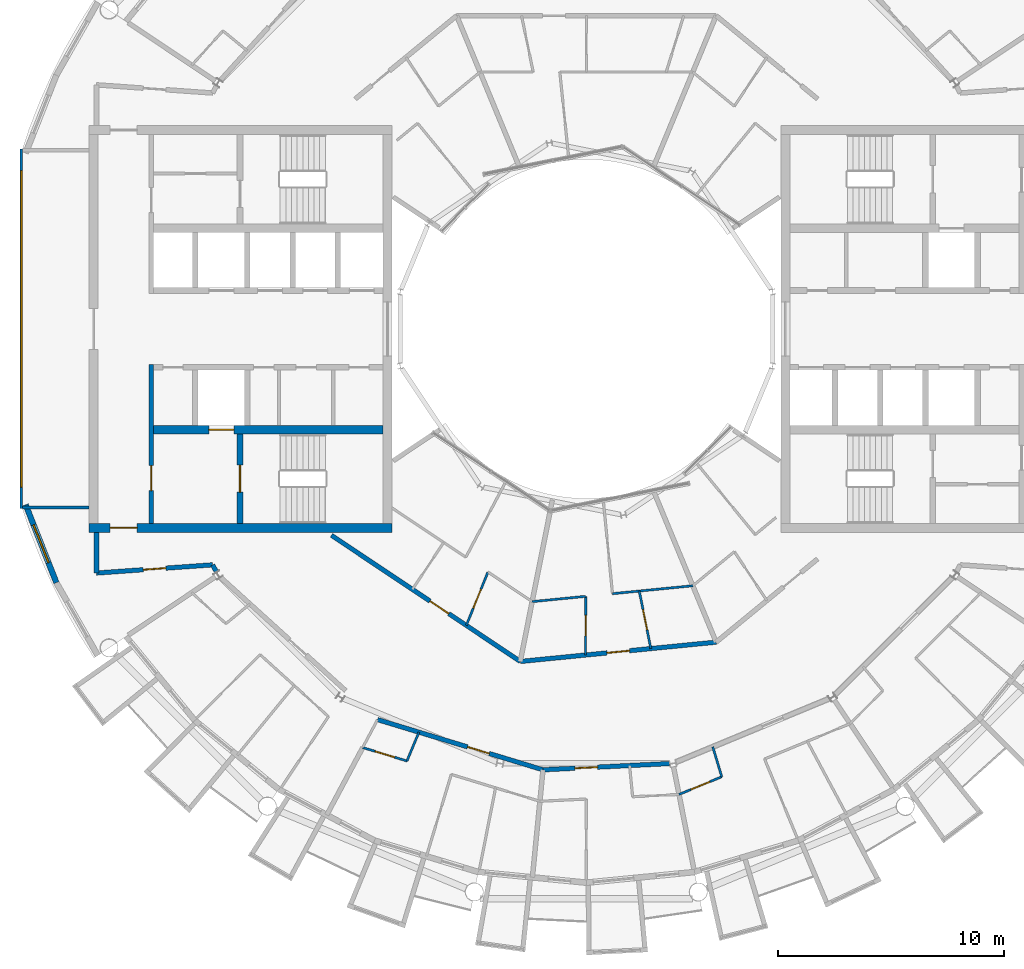
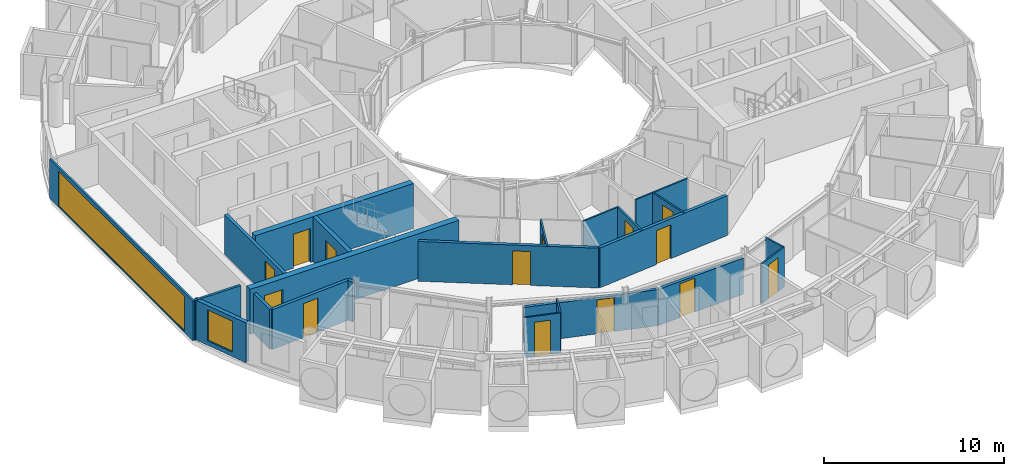
# One storey, part 15 of 27: 23 walls, 14 doors, 2 windows, 16 openings.
"""IFC4 building model written with IfcOpenShell, lengths in metres."""

from ifc_helpers import new_model, si_unit, direction, frame, frame_2d, origin, place, context, subcontext, project, spatial, rectangle, extrude, material, layer, layer_set, type_object, element, fill, save


model = new_model("IFC4")

# Units and contexts
model_context = context("Model", 3, precision=1e-05, world=origin(), true_north=direction((0.0, 1.0)))
body_context = subcontext(model_context, "Body", "Model", "MODEL_VIEW")
ifc_project = project(units=[si_unit("LENGTHUNIT", "METRE"), si_unit("AREAUNIT", "SQUARE_METRE"), si_unit("VOLUMEUNIT", "CUBIC_METRE"), si_unit("PLANEANGLEUNIT", "RADIAN"), si_unit("MASSUNIT", "GRAM", prefix="KILO")], contexts=[model_context])

# Site, building, storey
site_placement = place(None, origin())
site = spatial("IfcSite", under=ifc_project, at=site_placement, CompositionType="ELEMENT")
building_placement = place(site_placement, origin())
building = spatial("IfcBuilding", under=site, at=building_placement, Name="Maasbend Ring Residences", CompositionType="ELEMENT")
storey_placement = place(building_placement, frame((0.0, 0.0, 240.14990234375)))
storey = spatial("IfcBuildingStorey", under=building, at=storey_placement, Name="L69", CompositionType="ELEMENT", Elevation=240.14990234375)

# Wall, opening, door
ifc_material_1 = material(Name="Concrete C50/60", Category="concrete")
ifc_layer_1 = layer(ifc_material_1, 0.25)
ifc_layer_set_1 = layer_set([ifc_layer_1], Name="Concrete C50/60")
wall_type_1 = type_object("IfcWallType", Name="CORE WALL 250 C50/60", PredefinedType="SHEAR", material=ifc_layer_set_1)
wall_1_placement = place(storey_placement, frame((-15.324951171875, -4.64990234375, 0.0), z_axis=(0.0, 0.0, 1.0), x_axis=(0.0, -1.0, 0.0)))
wall_1 = element("IfcWall", 1, at=wall_1_placement, inside=storey, type_object=wall_type_1, Name="L69 core W wall STEN", PredefinedType="SHEAR", context=body_context, shape_type="SweptSolid", body=[
    extrude(rectangle(XDim=3.9501953125, YDim=0.25, at=frame_2d((1.97509765625, 0.0))), origin(), (0.0, 0.0, 1.0), 3.050048828125),
])
opening_1_placement = place(wall_1_placement, frame((1.375, 0.0, 0.0)))
opening_1 = element("IfcOpeningElement", 2, at=opening_1_placement, cuts=wall_1, Name="Opening D-W6911", PredefinedType="OPENING", context=body_context, shape_type="SweptSolid", body=[
    extrude(rectangle(XDim=1.199951171875, YDim=2.300048828125, at=frame_2d((0.60009765625, 1.14990234375))), frame((0.0, 0.135009765625, 0.0), z_axis=(0.0, -1.0, 0.0), x_axis=(1.0, 0.0, 0.0)), (0.0, 0.0, 1.0), 0.27001953125),
])
ifc_material_2 = material(Name="Steel, powder coated", Category="steel")
door_type_1 = type_object("IfcDoorType", Name="STAIR DOOR 1200 X 2300 FD60", OperationType="NOTDEFINED", PredefinedType="DOOR", material=ifc_material_2)
door_1_placement = place(opening_1_placement, origin())
door_1 = element("IfcDoor", 3, at=door_1_placement, inside=storey, type_object=door_type_1, Name="Stair door ST-W L69", OperationType="SINGLE_SWING_LEFT", OverallHeight=2.300048828125, OverallWidth=1.199951171875, PredefinedType="DOOR", context=body_context, shape_type="SweptSolid", body=[
    extrude(rectangle(XDim=1.199951171875, YDim=2.300048828125, at=frame_2d((0.60009765625, 1.14990234375))), frame((0.0, 0.02490234375, 0.0), z_axis=(0.0, -1.0, 0.0), x_axis=(1.0, 0.0, 0.0)), (0.0, 0.0, 1.0), 0.050048828125),
])
fill(opening_1, door_1)

ifc_material_3 = material(Name="Concrete C50/60", Category="concrete")
ifc_layer_2 = layer(ifc_material_3, 0.375)
ifc_layer_set_2 = layer_set([ifc_layer_2], Name="Concrete C50/60")
wall_type_2 = type_object("IfcWallType", Name="CORE WALL 375 C50/60", PredefinedType="SHEAR", material=ifc_layer_set_2)
wall_2_placement = place(storey_placement, frame((-9.0, -4.46240234375, 0.0), z_axis=(0.0, 0.0, 1.0), x_axis=(-1.0, 0.0, 0.0)))
wall_2 = element("IfcWall", 4, at=wall_2_placement, inside=storey, type_object=wall_type_2, Name="L69 core W wall BN", PredefinedType="SHEAR", context=body_context, shape_type="SweptSolid", body=[
    extrude(rectangle(XDim=10.14990234375, YDim=0.375, at=frame_2d((5.074951171875, 0.0))), origin(), (0.0, 0.0, 1.0), 3.050048828125),
])
opening_2_placement = place(wall_2_placement, frame((6.60009765625, 0.0, 0.0)))
opening_2 = element("IfcOpeningElement", 5, at=opening_2_placement, cuts=wall_2, Name="Opening LD-W6901", PredefinedType="OPENING", context=body_context, shape_type="SweptSolid", body=[
    extrude(rectangle(XDim=1.10009765625, YDim=2.300048828125, at=frame_2d((0.550048828125, 1.14990234375))), frame((0.0, 0.197509765625, 0.0), z_axis=(0.0, -1.0, 0.0), x_axis=(1.0, 0.0, 0.0)), (0.0, 0.0, 1.0), 0.39501953125),
])
ifc_material_4 = material(Name="Stainless steel 316", Category="steel")
door_type_2 = type_object("IfcDoorType", Name="LANDING DOOR 1100 X 2300 FD60", OperationType="DOUBLE_DOOR_SLIDING", PredefinedType="DOOR", material=ifc_material_4)
door_2_placement = place(opening_2_placement, origin())
door_2 = element("IfcDoor", 6, at=door_2_placement, inside=storey, type_object=door_type_2, Name="Landing door FF-W L69", OperationType="DOUBLE_DOOR_SLIDING", OverallHeight=2.300048828125, OverallWidth=1.10009765625, PredefinedType="DOOR", context=body_context, shape_type="SweptSolid", body=[
    extrude(rectangle(XDim=1.10009765625, YDim=2.300048828125, at=frame_2d((0.550048828125, 1.14990234375))), frame((0.0, 0.02490234375, 0.0), z_axis=(0.0, -1.0, 0.0), x_axis=(1.0, 0.0, 0.0)), (0.0, 0.0, 1.0), 0.050048828125),
])
fill(opening_2, door_2)

ifc_material_5 = material(Name="Concrete C50/60", Category="concrete")
ifc_layer_3 = layer(ifc_material_5, 0.39990234375)
ifc_layer_set_3 = layer_set([ifc_layer_3], Name="Concrete C50/60")
wall_type_3 = type_object("IfcWallType", Name="CORE WALL 400 C50/60", PredefinedType="SHEAR", material=ifc_layer_set_3)
wall_3_placement = place(storey_placement, frame((-22.0, -8.800048828125, 0.0), z_axis=(0.0, 0.0, 1.0), x_axis=(1.0, 0.0, 0.0)))
wall_3 = element("IfcWall", 7, at=wall_3_placement, inside=storey, type_object=wall_type_3, Name="L69 core W wall PN", PredefinedType="SHEAR", context=body_context, shape_type="SweptSolid", body=[
    extrude(rectangle(XDim=13.39990234375, YDim=0.39990234375, at=frame_2d((6.699951171875, 0.0))), origin(), (0.0, 0.0, 1.0), 3.050048828125),
])
opening_3_placement = place(wall_3_placement, frame((0.925048828125, 0.0, 0.0)))
opening_3 = element("IfcOpeningElement", 8, at=opening_3_placement, cuts=wall_3, Name="Opening D-W6915", PredefinedType="OPENING", context=body_context, shape_type="SweptSolid", body=[
    extrude(rectangle(XDim=1.199951171875, YDim=2.300048828125, at=frame_2d((0.60009765625, 1.14990234375))), frame((0.0, 0.2099609375, 0.0), z_axis=(0.0, -1.0, 0.0), x_axis=(1.0, 0.0, 0.0)), (0.0, 0.0, 1.0), 0.419921875),
])
ifc_material_6 = material(Name="Steel, powder coated", Category="steel")
door_type_3 = type_object("IfcDoorType", Name="CORRIDOR DOOR 1200 X 2300 FD30S", OperationType="NOTDEFINED", PredefinedType="DOOR", material=ifc_material_6)
door_3_placement = place(opening_3_placement, origin())
door_3 = element("IfcDoor", 9, at=door_3_placement, inside=storey, type_object=door_type_3, Name="Corridor door L69", OperationType="SINGLE_SWING_RIGHT", OverallHeight=2.300048828125, OverallWidth=1.199951171875, PredefinedType="DOOR", context=body_context, shape_type="SweptSolid", body=[
    extrude(rectangle(XDim=1.199951171875, YDim=2.300048828125, at=frame_2d((0.60009765625, 1.14990234375))), frame((0.0, 0.02490234375, 0.0), z_axis=(0.0, -1.0, 0.0), x_axis=(1.0, 0.0, 0.0)), (0.0, 0.0, 1.0), 0.050048828125),
])
fill(opening_3, door_3)

# Wall
ifc_material_7 = material(Name="Concrete C30/37", Category="concrete")
ifc_layer_4 = layer(ifc_material_7, 0.199951171875)
ifc_layer_set_4 = layer_set([ifc_layer_4], Name="Concrete C30/37")
wall_type_4 = type_object("IfcWallType", Name="CORRIDOR WALL 200 CONCRETE", PredefinedType="PARTITIONING", material=ifc_layer_set_4)
wall_4_placement = place(storey_placement, frame((-16.534912109375, -10.43701171875, 0.0), z_axis=(0.0, 0.0, 1.0), x_axis=(0.465802239822, -0.884888848035, 0.0)))
element("IfcWall", 10, at=wall_4_placement, inside=storey, type_object=wall_type_4, Name="U-L69-w013", PredefinedType="PARTITIONING", context=body_context, shape_type="SweptSolid", body=[
    extrude(rectangle(XDim=0.360595703125, YDim=0.199951171875, at=frame_2d((0.18017578125, 0.0))), origin(), (0.0, 0.0, 1.0), 2.7001953125),
])

# Wall, opening, door
wall_5_placement = place(storey_placement, frame((-1.9208984375, -19.506103515625, 0.0), z_axis=(0.0, 0.0, 1.0), x_axis=(0.998783562084, 0.049309188909, 0.0)))
wall_5 = element("IfcWall", 11, at=wall_5_placement, inside=storey, type_object=wall_type_4, Name="U-L69-w015", PredefinedType="PARTITIONING", context=body_context, shape_type="SweptSolid", body=[
    extrude(rectangle(XDim=5.599853515625, YDim=0.199951171875, at=frame_2d((2.7998046875, 0.0))), origin(), (0.0, 0.0, 1.0), 2.4501953125),
])
opening_4_placement = place(wall_5_placement, frame((1.4169921875, 0.0, 0.0)))
opening_4 = element("IfcOpeningElement", 12, at=opening_4_placement, cuts=wall_5, Name="Opening D-6941", PredefinedType="OPENING", context=body_context, shape_type="SweptSolid", body=[
    extrude(rectangle(XDim=1.0, YDim=2.300048828125, at=frame_2d((0.5, 1.14990234375))), frame((0.0, 0.10986328125, 0.0), z_axis=(0.0, -1.0, 0.0), x_axis=(1.0, 0.0, 0.0)), (0.0, 0.0, 1.0), 0.219970703125),
])
ifc_material_8 = material(Name="Timber, fire-rated, painted", Category="wood")
door_type_4 = type_object("IfcDoorType", Name="FLAT ENTRANCE DOOR 1000 X 2300 FIRE-RATED", OperationType="NOTDEFINED", PredefinedType="DOOR", material=ifc_material_8)
door_4_placement = place(opening_4_placement, origin())
door_4 = element("IfcDoor", 13, at=door_4_placement, inside=storey, type_object=door_type_4, Name="D-6941", OperationType="SINGLE_SWING_LEFT", OverallHeight=2.300048828125, OverallWidth=1.0, PredefinedType="DOOR", context=body_context, shape_type="SweptSolid", body=[
    extrude(rectangle(XDim=1.0, YDim=2.300048828125, at=frame_2d((0.5, 1.14990234375))), frame((0.0, 0.02490234375, 0.0), z_axis=(0.0, -1.0, 0.0), x_axis=(1.0, 0.0, 0.0)), (0.0, 0.0, 1.0), 0.050048828125),
])
fill(opening_4, door_4)

wall_6_placement = place(storey_placement, frame((-9.239013671875, -17.285888671875, 0.0), z_axis=(0.0, 0.0, 1.0), x_axis=(0.956929842753, -0.290319265721, 0.0)))
wall_6 = element("IfcWall", 14, at=wall_6_placement, inside=storey, type_object=wall_type_4, Name="U-L69-w016", PredefinedType="PARTITIONING", context=body_context, shape_type="SweptSolid", body=[
    extrude(rectangle(XDim=7.6474609375, YDim=0.199951171875, at=frame_2d((3.82373046875, 0.0))), origin(), (0.0, 0.0, 1.0), 2.4501953125),
])
opening_5_placement = place(wall_6_placement, frame((4.160888671875, 0.0, 0.0)))
opening_5 = element("IfcOpeningElement", 15, at=opening_5_placement, cuts=wall_6, Name="Opening D-6937", PredefinedType="OPENING", context=body_context, shape_type="SweptSolid", body=[
    extrude(rectangle(XDim=1.0, YDim=2.300048828125, at=frame_2d((0.5, 1.14990234375))), frame((0.0, 0.10986328125, 0.0), z_axis=(0.0, -1.0, 0.0), x_axis=(1.0, 0.0, 0.0)), (0.0, 0.0, 1.0), 0.219970703125),
])
door_5_placement = place(opening_5_placement, origin())
door_5 = element("IfcDoor", 16, at=door_5_placement, inside=storey, type_object=door_type_4, Name="D-6937", OperationType="SINGLE_SWING_RIGHT", OverallHeight=2.300048828125, OverallWidth=1.0, PredefinedType="DOOR", context=body_context, shape_type="SweptSolid", body=[
    extrude(rectangle(XDim=1.0, YDim=2.300048828125, at=frame_2d((0.5, 1.14990234375))), frame((0.0, 0.02490234375, 0.0), z_axis=(0.0, -1.0, 0.0), x_axis=(1.0, 0.0, 0.0)), (0.0, 0.0, 1.0), 0.050048828125),
])
fill(opening_5, door_5)

wall_7_placement = place(storey_placement, frame((-2.926025390625, -14.712890625, 0.0), z_axis=(0.0, 0.0, 1.0), x_axis=(0.995168443337, 0.098182327264, 0.0)))
wall_7 = element("IfcWall", 17, at=wall_7_placement, inside=storey, type_object=wall_type_4, Name="U-L69-w020", PredefinedType="PARTITIONING", context=body_context, shape_type="SweptSolid", body=[
    extrude(rectangle(XDim=8.7080078125, YDim=0.199951171875, at=frame_2d((4.35400390625, 0.0))), origin(), (0.0, 0.0, 1.0), 2.7001953125),
])
opening_6_placement = place(wall_7_placement, frame((3.85595703125, 0.0, 0.0)))
opening_6 = element("IfcOpeningElement", 18, at=opening_6_placement, cuts=wall_7, Name="Opening D-6956", PredefinedType="OPENING", context=body_context, shape_type="SweptSolid", body=[
    extrude(rectangle(XDim=1.0, YDim=2.300048828125, at=frame_2d((0.5, 1.14990234375))), frame((0.0, 0.10986328125, 0.0), z_axis=(0.0, -1.0, 0.0), x_axis=(1.0, 0.0, 0.0)), (0.0, 0.0, 1.0), 0.219970703125),
])
door_6_placement = place(opening_6_placement, origin())
door_6 = element("IfcDoor", 19, at=door_6_placement, inside=storey, type_object=door_type_4, Name="D-6956", OperationType="SINGLE_SWING_RIGHT", OverallHeight=2.300048828125, OverallWidth=1.0, PredefinedType="DOOR", context=body_context, shape_type="SweptSolid", body=[
    extrude(rectangle(XDim=1.0, YDim=2.300048828125, at=frame_2d((0.5, 1.14990234375))), frame((0.0, 0.02490234375, 0.0), z_axis=(0.0, -1.0, 0.0), x_axis=(1.0, 0.0, 0.0)), (0.0, 0.0, 1.0), 0.050048828125),
])
fill(opening_6, door_6)

wall_8_placement = place(storey_placement, frame((-11.279052734375, -9.131103515625, 0.0), z_axis=(0.0, 0.0, 1.0), x_axis=(0.831522779461, -0.555490654501, 0.0)))
wall_8 = element("IfcWall", 20, at=wall_8_placement, inside=storey, type_object=wall_type_4, Name="U-L69-w022", PredefinedType="PARTITIONING", context=body_context, shape_type="SweptSolid", body=[
    extrude(rectangle(XDim=10.046630859375, YDim=0.199951171875, at=frame_2d((5.0234375, 0.0))), origin(), (0.0, 0.0, 1.0), 2.7001953125),
])
opening_7_placement = place(wall_8_placement, frame((5.239013671875, 0.0, 0.0)))
opening_7 = element("IfcOpeningElement", 21, at=opening_7_placement, cuts=wall_8, Name="Opening D-6952", PredefinedType="OPENING", context=body_context, shape_type="SweptSolid", body=[
    extrude(rectangle(XDim=1.0, YDim=2.300048828125, at=frame_2d((0.5, 1.14990234375))), frame((0.0, 0.10986328125, 0.0), z_axis=(0.0, -1.0, 0.0), x_axis=(1.0, 0.0, 0.0)), (0.0, 0.0, 1.0), 0.219970703125),
])
door_7_placement = place(opening_7_placement, origin())
door_7 = element("IfcDoor", 22, at=door_7_placement, inside=storey, type_object=door_type_4, Name="D-6952", OperationType="SINGLE_SWING_RIGHT", OverallHeight=2.300048828125, OverallWidth=1.0, PredefinedType="DOOR", context=body_context, shape_type="SweptSolid", body=[
    extrude(rectangle(XDim=1.0, YDim=2.300048828125, at=frame_2d((0.5, 1.14990234375))), frame((0.0, 0.02490234375, 0.0), z_axis=(0.0, -1.0, 0.0), x_axis=(1.0, 0.0, 0.0)), (0.0, 0.0, 1.0), 0.050048828125),
])
fill(opening_7, door_7)

wall_9_placement = place(storey_placement, frame((-21.675048828125, -10.800048828125, 0.0), z_axis=(0.0, 0.0, 1.0), x_axis=(0.997515141784, 0.070452408845, 0.0)))
wall_9 = element("IfcWall", 23, at=wall_9_placement, inside=storey, type_object=wall_type_4, Name="U-L69-w029", PredefinedType="PARTITIONING", context=body_context, shape_type="SweptSolid", body=[
    extrude(rectangle(XDim=5.15283203125, YDim=0.199951171875, at=frame_2d((2.576416015625, 0.0))), origin(), (0.0, 0.0, 1.0), 2.7001953125),
])
opening_8_placement = place(wall_9_placement, frame((2.075927734375, 0.0, 0.0)))
opening_8 = element("IfcOpeningElement", 24, at=opening_8_placement, cuts=wall_9, Name="Opening D-6963", PredefinedType="OPENING", context=body_context, shape_type="SweptSolid", body=[
    extrude(rectangle(XDim=1.0, YDim=2.300048828125, at=frame_2d((0.5, 1.14990234375))), frame((0.0, 0.10986328125, 0.0), z_axis=(0.0, -1.0, 0.0), x_axis=(1.0, 0.0, 0.0)), (0.0, 0.0, 1.0), 0.219970703125),
])
ifc_material_9 = material(Name="Timber, painted", Category="wood")
door_type_5 = type_object("IfcDoorType", Name="ROOM DOOR 1000 X 2300", OperationType="NOTDEFINED", PredefinedType="DOOR", material=ifc_material_9)
door_8_placement = place(opening_8_placement, origin())
door_8 = element("IfcDoor", 25, at=door_8_placement, inside=storey, type_object=door_type_5, Name="D-6963", OperationType="SINGLE_SWING_RIGHT", OverallHeight=2.300048828125, OverallWidth=1.0, PredefinedType="DOOR", context=body_context, shape_type="SweptSolid", body=[
    extrude(rectangle(XDim=1.0, YDim=2.300048828125, at=frame_2d((0.5, 1.14990234375))), frame((0.0, 0.02490234375, 0.0), z_axis=(0.0, -1.0, 0.0), x_axis=(1.0, 0.0, 0.0)), (0.0, 0.0, 1.0), 0.050048828125),
])
fill(opening_8, door_8)

# Wall
wall_10_placement = place(storey_placement, frame((-21.675048828125, -10.800048828125, 0.0), z_axis=(0.0, 0.0, 1.0), x_axis=(0.0, 1.0, 0.0)))
element("IfcWall", 26, at=wall_10_placement, inside=storey, type_object=wall_type_4, Name="U-L69-w125", PredefinedType="PARTITIONING", context=body_context, shape_type="SweptSolid", body=[
    extrude(rectangle(XDim=1.800048828125, YDim=0.199951171875, at=frame_2d((0.89990234375, 0.0))), origin(), (0.0, 0.0, 1.0), 2.7001953125),
])

# Wall, opening, window
ifc_material_10 = material(Name="Aluminium clad insulated panel", Category="aluminium")
ifc_layer_5 = layer(ifc_material_10, 0.25)
ifc_layer_set_5 = layer_set([ifc_layer_5], Name="EW-HORN")
wall_type_5 = type_object("IfcWallType", Name="EW-HORN", PredefinedType="SOLIDWALL", material=ifc_layer_set_5)
wall_11_placement = place(storey_placement, frame((-24.80908203125, -7.779052734375, 0.0), z_axis=(0.0, 0.0, 1.0), x_axis=(0.366351636034, -0.930476479432, 0.0)))
wall_11 = element("IfcWall", 27, at=wall_11_placement, inside=storey, type_object=wall_type_5, Name="Horn wall 3.1", PredefinedType="SOLIDWALL", context=body_context, shape_type="SweptSolid", body=[
    extrude(rectangle(XDim=3.70458984375, YDim=0.25, at=frame_2d((1.852294921875, 0.0))), origin(), (0.0, 0.0, 1.0), 2.7001953125),
])
opening_9_placement = place(wall_11_placement, frame((0.952392578125, 0.0, 0.300048828125)))
opening_9 = element("IfcOpeningElement", 28, at=opening_9_placement, cuts=wall_11, Name="Opening W-BX", PredefinedType="OPENING", context=body_context, shape_type="SweptSolid", body=[
    extrude(rectangle(XDim=1.800048828125, YDim=2.10009765625, at=frame_2d((0.89990234375, 1.050048828125))), frame((0.0, 0.135009765625, 0.0), z_axis=(0.0, -1.0, 0.0), x_axis=(1.0, 0.0, 0.0)), (0.0, 0.0, 1.0), 0.27001953125),
])
ifc_material_11 = material(Name="Aluminium and clear glass", Category="aluminium")
window_type_1 = type_object("IfcWindowType", Name="W-BX", PartitioningType="DOUBLE_PANEL_VERTICAL", PredefinedType="WINDOW", material=ifc_material_11)
window_1_placement = place(opening_9_placement, origin())
window_1 = element("IfcWindow", 29, at=window_1_placement, inside=storey, type_object=window_type_1, Name="Horn window 3.1", OverallHeight=2.10009765625, OverallWidth=1.800048828125, PartitioningType="SINGLE_PANEL", PredefinedType="WINDOW", context=body_context, shape_type="SweptSolid", body=[
    extrude(rectangle(XDim=1.800048828125, YDim=2.10009765625, at=frame_2d((0.89990234375, 1.050048828125))), frame((0.0, 0.030029296875, 0.0), z_axis=(0.0, -1.0, 0.0), x_axis=(1.0, 0.0, 0.0)), (0.0, 0.0, 1.0), 0.06005859375),
])
fill(opening_9, window_1)

ifc_material_12 = material(Name="Aluminium frame and clear glass", Category="aluminium")
ifc_layer_6 = layer(ifc_material_12, 0.1201171875)
ifc_layer_set_6 = layer_set([ifc_layer_6], Name="GLAZED SCREEN WALL 120 EI 60")
wall_type_6 = type_object("IfcWallType", Name="GLAZED SCREEN WALL 120 EI 60", PredefinedType="PARTITIONING", material=ifc_layer_set_6)
wall_12_placement = place(storey_placement, frame((-25.0, 7.949951171875, 0.0), z_axis=(0.0, 0.0, 1.0), x_axis=(0.0, -1.0, 0.0)))
wall_12 = element("IfcWall", 30, at=wall_12_placement, inside=storey, type_object=wall_type_6, Name="L69 core W wall FACE", PredefinedType="PARTITIONING", context=body_context, shape_type="SweptSolid", body=[
    extrude(rectangle(XDim=15.89990234375, YDim=0.1201171875, at=frame_2d((7.949951171875, 0.0))), origin(), (0.0, 0.0, 1.0), 2.7001953125),
])
opening_10_placement = place(wall_12_placement, frame((0.949951171875, 0.0, 0.10009765625)))
opening_10 = element("IfcOpeningElement", 31, at=opening_10_placement, cuts=wall_12, Name="Opening W-W6902", PredefinedType="OPENING", context=body_context, shape_type="SweptSolid", body=[
    extrude(rectangle(XDim=14.0, YDim=2.35009765625, at=frame_2d((7.0, 1.175048828125))), frame((0.0, 0.070068359375, 0.0), z_axis=(0.0, -1.0, 0.0), x_axis=(1.0, 0.0, 0.0)), (0.0, 0.0, 1.0), 0.14013671875),
])
ifc_material_13 = material(Name="Aluminium frame and clear glass", Category="aluminium")
window_type_2 = type_object("IfcWindowType", Name="FIXED WINDOW 14000 X 2350", PartitioningType="SINGLE_PANEL", PredefinedType="WINDOW", material=ifc_material_13)
window_2_placement = place(opening_10_placement, origin())
window_2 = element("IfcWindow", 32, at=window_2_placement, inside=storey, type_object=window_type_2, Name="Lobby window L69", OverallHeight=2.35009765625, OverallWidth=14.0, PartitioningType="SINGLE_PANEL", PredefinedType="WINDOW", context=body_context, shape_type="SweptSolid", body=[
    extrude(rectangle(XDim=14.0, YDim=2.35009765625, at=frame_2d((7.0, 1.175048828125))), frame((0.0, 0.030029296875, 0.0), z_axis=(0.0, -1.0, 0.0), x_axis=(1.0, 0.0, 0.0)), (0.0, 0.0, 1.0), 0.06005859375),
])
fill(opening_10, window_2)

# Wall, opening, door
ifc_material_14 = material(Name="Gypsum board on steel studs", Category="steel")
ifc_layer_7 = layer(ifc_material_14, 0.10009765625)
ifc_layer_set_7 = layer_set([ifc_layer_7], Name="PARTITION 100 GYPSUM")
wall_type_7 = type_object("IfcWallType", Name="PARTITION 100 GYPSUM", PredefinedType="PARTITIONING", material=ifc_layer_set_7)
wall_13_placement = place(storey_placement, frame((-9.89306640625, -18.52294921875, 0.0), z_axis=(0.0, 0.0, 1.0), x_axis=(0.957015380529, -0.2900371725, 0.0)))
wall_13 = element("IfcWall", 33, at=wall_13_placement, inside=storey, type_object=wall_type_7, Name="U-L69-w005", PredefinedType="PARTITIONING", context=body_context, shape_type="SweptSolid", body=[
    extrude(rectangle(XDim=2.048095703125, YDim=0.10009765625, at=frame_2d((1.02392578125, 0.0))), origin(), (0.0, 0.0, 1.0), 2.7001953125),
])
opening_11_placement = place(wall_13_placement, frame((0.568115234375, 0.0, 0.0)))
opening_11 = element("IfcOpeningElement", 34, at=opening_11_placement, cuts=wall_13, Name="Opening D-6938", PredefinedType="OPENING", context=body_context, shape_type="SweptSolid", body=[
    extrude(rectangle(XDim=0.89990234375, YDim=2.300048828125, at=frame_2d((0.449951171875, 1.14990234375))), frame((0.0, 0.06005859375, 0.0), z_axis=(0.0, -1.0, 0.0), x_axis=(1.0, 0.0, 0.0)), (0.0, 0.0, 1.0), 0.1201171875),
])
ifc_material_15 = material(Name="Timber, painted", Category="wood")
door_type_6 = type_object("IfcDoorType", Name="INTERNAL DOOR 900 X 2300", OperationType="NOTDEFINED", PredefinedType="DOOR", material=ifc_material_15)
door_9_placement = place(opening_11_placement, origin())
door_9 = element("IfcDoor", 35, at=door_9_placement, inside=storey, type_object=door_type_6, Name="D-6938", OperationType="SINGLE_SWING_LEFT", OverallHeight=2.300048828125, OverallWidth=0.89990234375, PredefinedType="DOOR", context=body_context, shape_type="SweptSolid", body=[
    extrude(rectangle(XDim=0.89990234375, YDim=2.300048828125, at=frame_2d((0.449951171875, 1.14990234375))), frame((0.0, 0.02490234375, 0.0), z_axis=(0.0, -1.0, 0.0), x_axis=(1.0, 0.0, 0.0)), (0.0, 0.0, 1.0), 0.050048828125),
])
fill(opening_11, door_9)

wall_14_placement = place(storey_placement, frame((4.096923828125, -20.595947265625, 0.0), z_axis=(0.0, 0.0, 1.0), x_axis=(0.924012474812, 0.382362323448, 0.0)))
wall_14 = element("IfcWall", 36, at=wall_14_placement, inside=storey, type_object=wall_type_7, Name="U-L69-w007", PredefinedType="PARTITIONING", context=body_context, shape_type="SweptSolid", body=[
    extrude(rectangle(XDim=2.047607421875, YDim=0.10009765625, at=frame_2d((1.02392578125, 0.0))), origin(), (0.0, 0.0, 1.0), 2.7001953125),
])
opening_12_placement = place(wall_14_placement, frame((0.573974609375, 0.0, 0.0)))
opening_12 = element("IfcOpeningElement", 37, at=opening_12_placement, cuts=wall_14, Name="Opening D-6945", PredefinedType="OPENING", context=body_context, shape_type="SweptSolid", body=[
    extrude(rectangle(XDim=0.89990234375, YDim=2.300048828125, at=frame_2d((0.449951171875, 1.14990234375))), frame((0.0, 0.06005859375, 0.0), z_axis=(0.0, -1.0, 0.0), x_axis=(1.0, 0.0, 0.0)), (0.0, 0.0, 1.0), 0.1201171875),
])
door_10_placement = place(opening_12_placement, origin())
door_10 = element("IfcDoor", 38, at=door_10_placement, inside=storey, type_object=door_type_6, Name="D-6945", OperationType="SINGLE_SWING_LEFT", OverallHeight=2.300048828125, OverallWidth=0.89990234375, PredefinedType="DOOR", context=body_context, shape_type="SweptSolid", body=[
    extrude(rectangle(XDim=0.89990234375, YDim=2.300048828125, at=frame_2d((0.449951171875, 1.14990234375))), frame((0.0, 0.02490234375, 0.0), z_axis=(0.0, -1.0, 0.0), x_axis=(1.0, 0.0, 0.0)), (0.0, 0.0, 1.0), 0.050048828125),
])
fill(opening_12, door_10)

# Walls
wall_15_placement = place(storey_placement, frame((-2.39892578125, -12.06494140625, 0.0), z_axis=(0.0, 0.0, 1.0), x_axis=(0.995161308804, 0.098254615463, 0.0)))
element("IfcWall", 39, at=wall_15_placement, inside=storey, type_object=wall_type_7, Name="U-L69-w023", PredefinedType="PARTITIONING", context=body_context, shape_type="SweptSolid", body=[
    extrude(rectangle(XDim=2.38037109375, YDim=0.10009765625, at=frame_2d((1.190185546875, 0.0))), origin(), (0.0, 0.0, 1.0), 2.7001953125),
])
wall_16_placement = place(storey_placement, frame((1.154052734375, -11.714111328125, 0.0), z_axis=(0.0, 0.0, 1.0), x_axis=(0.995140096511, 0.098469225223, 0.0)))
element("IfcWall", 40, at=wall_16_placement, inside=storey, type_object=wall_type_7, Name="U-L69-w024", PredefinedType="PARTITIONING", context=body_context, shape_type="SweptSolid", body=[
    extrude(rectangle(XDim=3.5751953125, YDim=0.10009765625, at=frame_2d((1.78759765625, 0.0))), origin(), (0.0, 0.0, 1.0), 2.7001953125),
])
wall_17_placement = place(storey_placement, frame((-7.93896484375, -19.114990234375, 0.0), z_axis=(0.0, 0.0, 1.0), x_axis=(0.383534338408, 0.923526616434, 0.0)))
element("IfcWall", 41, at=wall_17_placement, inside=storey, type_object=wall_type_7, Name="U-L69-w047", PredefinedType="PARTITIONING", context=body_context, shape_type="SweptSolid", body=[
    extrude(rectangle(XDim=1.37939453125, YDim=0.10009765625, at=frame_2d((0.689697265625, 0.0))), origin(), (0.0, 0.0, 1.0), 2.7001953125),
])

# Wall, opening, door
wall_18_placement = place(storey_placement, frame((-5.31298828125, -13.116943359375, 0.0), z_axis=(0.0, 0.0, 1.0), x_axis=(0.375682862795, 0.926748286538, 0.0)))
wall_18 = element("IfcWall", 42, at=wall_18_placement, inside=storey, type_object=wall_type_7, Name="U-L69-w054", PredefinedType="PARTITIONING", context=body_context, shape_type="SweptSolid", body=[
    extrude(rectangle(XDim=2.54736328125, YDim=0.10009765625, at=frame_2d((1.273681640625, 0.0))), origin(), (0.0, 0.0, 1.0), 2.7001953125),
])
opening_13_placement = place(wall_18_placement, frame((0.823974609375, 0.0, 0.0)))
opening_13 = element("IfcOpeningElement", 43, at=opening_13_placement, cuts=wall_18, Name="Opening D-6953", PredefinedType="OPENING", context=body_context, shape_type="SweptSolid", body=[
    extrude(rectangle(XDim=0.89990234375, YDim=2.300048828125, at=frame_2d((0.449951171875, 1.14990234375))), frame((0.0, 0.06005859375, 0.0), z_axis=(0.0, -1.0, 0.0), x_axis=(1.0, 0.0, 0.0)), (0.0, 0.0, 1.0), 0.1201171875),
])
door_11_placement = place(opening_13_placement, origin())
door_11 = element("IfcDoor", 44, at=door_11_placement, inside=storey, type_object=door_type_6, Name="D-6953", OperationType="SINGLE_SWING_RIGHT", OverallHeight=2.300048828125, OverallWidth=0.89990234375, PredefinedType="DOOR", context=body_context, shape_type="SweptSolid", body=[
    extrude(rectangle(XDim=0.89990234375, YDim=2.300048828125, at=frame_2d((0.449951171875, 1.14990234375))), frame((0.0, 0.02490234375, 0.0), z_axis=(0.0, -1.0, 0.0), x_axis=(1.0, 0.0, 0.0)), (0.0, 0.0, 1.0), 0.050048828125),
])
fill(opening_13, door_11)

wall_19_placement = place(storey_placement, frame((-0.037109375, -14.427001953125, 0.0), z_axis=(0.0, 0.0, 1.0), x_axis=(0.002350280244, 0.999997238088, 0.0)))
wall_19 = element("IfcWall", 45, at=wall_19_placement, inside=storey, type_object=wall_type_7, Name="U-L69-w061", PredefinedType="PARTITIONING", context=body_context, shape_type="SweptSolid", body=[
    extrude(rectangle(XDim=2.596923828125, YDim=0.10009765625, at=frame_2d((1.29833984375, 0.0))), origin(), (0.0, 0.0, 1.0), 2.7001953125),
])
opening_14_placement = place(wall_19_placement, frame((0.84912109375, 0.0, 0.0)))
opening_14 = element("IfcOpeningElement", 46, at=opening_14_placement, cuts=wall_19, Name="Opening D-6957", PredefinedType="OPENING", context=body_context, shape_type="SweptSolid", body=[
    extrude(rectangle(XDim=0.89990234375, YDim=2.300048828125, at=frame_2d((0.449951171875, 1.14990234375))), frame((0.0, 0.06005859375, 0.0), z_axis=(0.0, -1.0, 0.0), x_axis=(1.0, 0.0, 0.0)), (0.0, 0.0, 1.0), 0.1201171875),
])
door_12_placement = place(opening_14_placement, origin())
door_12 = element("IfcDoor", 47, at=door_12_placement, inside=storey, type_object=door_type_6, Name="D-6957", OperationType="SINGLE_SWING_LEFT", OverallHeight=2.300048828125, OverallWidth=0.89990234375, PredefinedType="DOOR", context=body_context, shape_type="SweptSolid", body=[
    extrude(rectangle(XDim=0.89990234375, YDim=2.300048828125, at=frame_2d((0.449951171875, 1.14990234375))), frame((0.0, 0.02490234375, 0.0), z_axis=(0.0, -1.0, 0.0), x_axis=(1.0, 0.0, 0.0)), (0.0, 0.0, 1.0), 0.050048828125),
])
fill(opening_14, door_12)

wall_20_placement = place(storey_placement, frame((2.337890625, -11.596923828125, 0.0), z_axis=(0.0, 0.0, 1.0), x_axis=(0.197580088655, -0.980286748134, 0.0)))
wall_20 = element("IfcWall", 48, at=wall_20_placement, inside=storey, type_object=wall_type_7, Name="U-L69-w067", PredefinedType="PARTITIONING", context=body_context, shape_type="SweptSolid", body=[
    extrude(rectangle(XDim=2.597412109375, YDim=0.10009765625, at=frame_2d((1.298828125, 0.0))), origin(), (0.0, 0.0, 1.0), 2.7001953125),
])
opening_15_placement = place(wall_20_placement, frame((0.84912109375, 0.0, 0.0)))
opening_15 = element("IfcOpeningElement", 49, at=opening_15_placement, cuts=wall_20, Name="Opening D-6958", PredefinedType="OPENING", context=body_context, shape_type="SweptSolid", body=[
    extrude(rectangle(XDim=0.89990234375, YDim=2.300048828125, at=frame_2d((0.449951171875, 1.14990234375))), frame((0.0, 0.06005859375, 0.0), z_axis=(0.0, -1.0, 0.0), x_axis=(1.0, 0.0, 0.0)), (0.0, 0.0, 1.0), 0.1201171875),
])
door_13_placement = place(opening_15_placement, origin())
door_13 = element("IfcDoor", 50, at=door_13_placement, inside=storey, type_object=door_type_6, Name="D-6958", OperationType="SINGLE_SWING_LEFT", OverallHeight=2.300048828125, OverallWidth=0.89990234375, PredefinedType="DOOR", context=body_context, shape_type="SweptSolid", body=[
    extrude(rectangle(XDim=0.89990234375, YDim=2.300048828125, at=frame_2d((0.449951171875, 1.14990234375))), frame((0.0, 0.02490234375, 0.0), z_axis=(0.0, -1.0, 0.0), x_axis=(1.0, 0.0, 0.0)), (0.0, 0.0, 1.0), 0.050048828125),
])
fill(opening_15, door_13)

# Walls
wall_21_placement = place(storey_placement, frame((5.590087890625, -18.491943359375, 0.0), z_axis=(0.0, 0.0, 1.0), x_axis=(0.289084131919, -0.957303695111, 0.0)))
element("IfcWall", 51, at=wall_21_placement, inside=storey, type_object=wall_type_7, Name="U-L69-w075", PredefinedType="PARTITIONING", context=body_context, shape_type="SweptSolid", body=[
    extrude(rectangle(XDim=1.3798828125, YDim=0.10009765625, at=frame_2d((0.68994140625, 0.0))), origin(), (0.0, 0.0, 1.0), 2.7001953125),
])
ifc_material_16 = material(Name="Gypsum board on steel studs", Category="steel")
ifc_layer_8 = layer(ifc_material_16, 0.14990234375)
ifc_layer_set_8 = layer_set([ifc_layer_8], Name="PARTITION 150 EI 60")
wall_type_8 = type_object("IfcWallType", Name="PARTITION 150 EI 60", PredefinedType="PARTITIONING", material=ifc_layer_set_8)
wall_22_placement = place(storey_placement, frame((-22.0, -7.89990234375, 0.0), z_axis=(0.0, 0.0, 1.0), x_axis=(-1.0, 0.0, 0.0)))
element("IfcWall", 52, at=wall_22_placement, inside=storey, type_object=wall_type_8, Name="L69 core W wall CITN", PredefinedType="PARTITIONING", context=body_context, shape_type="SweptSolid", body=[
    extrude(rectangle(XDim=2.93994140625, YDim=0.14990234375, at=frame_2d((1.469970703125, 0.0))), origin(), (0.0, 0.0, 1.0), 2.7001953125),
])

# Wall, opening, door
ifc_material_17 = material(Name="Concrete C30/37", Category="concrete")
ifc_layer_9 = layer(ifc_material_17, 0.199951171875)
ifc_layer_set_9 = layer_set([ifc_layer_9], Name="Concrete C30/37")
wall_type_9 = type_object("IfcWallType", Name="SHAFT WALL 200 EI 120", PredefinedType="SOLIDWALL", material=ifc_layer_set_9)
wall_23_placement = place(storey_placement, frame((-19.25, -1.574951171875, 0.0), z_axis=(0.0, 0.0, 1.0), x_axis=(0.0, -1.0, 0.0)))
wall_23 = element("IfcWall", 53, at=wall_23_placement, inside=storey, type_object=wall_type_9, Name="L69 core W wall ENDN", PredefinedType="SOLIDWALL", context=body_context, shape_type="SweptSolid", body=[
    extrude(rectangle(XDim=7.025146484375, YDim=0.199951171875, at=frame_2d((3.5126953125, 0.0))), origin(), (0.0, 0.0, 1.0), 2.7001953125),
])
opening_16_placement = place(wall_23_placement, frame((4.47509765625, 0.0, 0.0)))
opening_16 = element("IfcOpeningElement", 54, at=opening_16_placement, cuts=wall_23, Name="Opening D-W6913", PredefinedType="OPENING", context=body_context, shape_type="SweptSolid", body=[
    extrude(rectangle(XDim=1.10009765625, YDim=2.300048828125, at=frame_2d((0.550048828125, 1.14990234375))), frame((0.0, 0.10986328125, 0.0), z_axis=(0.0, -1.0, 0.0), x_axis=(1.0, 0.0, 0.0)), (0.0, 0.0, 1.0), 0.219970703125),
])
ifc_material_18 = material(Name="Steel, powder coated", Category="steel")
door_type_7 = type_object("IfcDoorType", Name="LOBBY DOOR 1100 X 2300 FD60", OperationType="NOTDEFINED", PredefinedType="DOOR", material=ifc_material_18)
door_14_placement = place(opening_16_placement, origin())
door_14 = element("IfcDoor", 55, at=door_14_placement, inside=storey, type_object=door_type_7, Name="Lobby door L69", OperationType="SINGLE_SWING_LEFT", OverallHeight=2.300048828125, OverallWidth=1.10009765625, PredefinedType="DOOR", context=body_context, shape_type="SweptSolid", body=[
    extrude(rectangle(XDim=1.10009765625, YDim=2.300048828125, at=frame_2d((0.550048828125, 1.14990234375))), frame((0.0, 0.02490234375, 0.0), z_axis=(0.0, -1.0, 0.0), x_axis=(1.0, 0.0, 0.0)), (0.0, 0.0, 1.0), 0.050048828125),
])
fill(opening_16, door_14)

save(model, "model.ifc")
